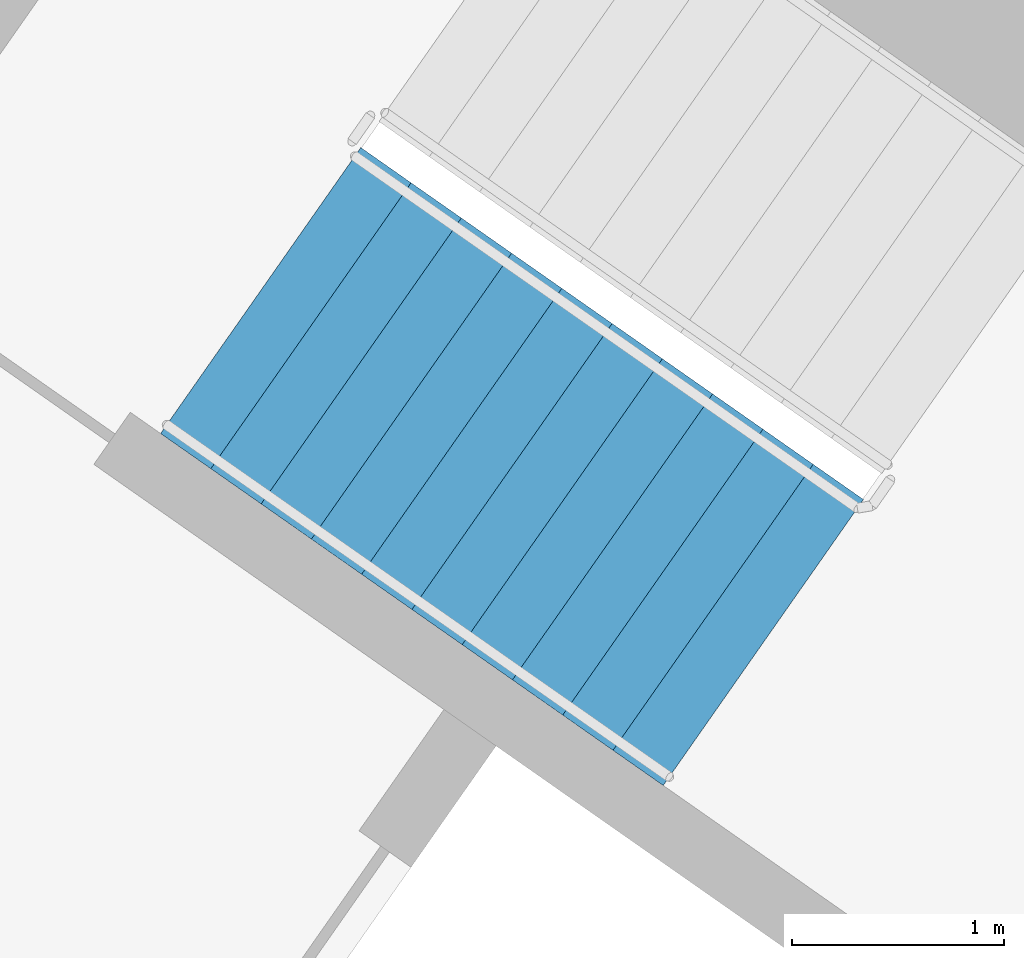
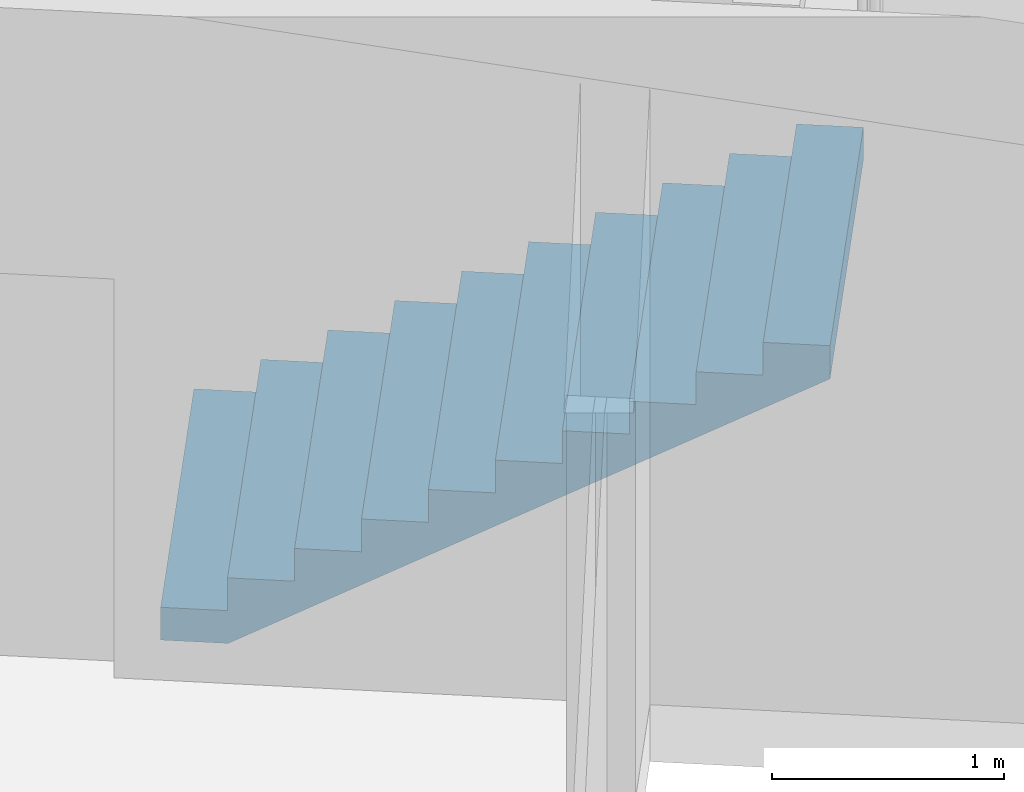
# One storey, part 14 of 32: 1 stair flight, 1 element without a shape of its own.
"""IFC4 building model written with IfcOpenShell, lengths in metres."""

from ifc_helpers import new_model, si_unit, direction, frame, origin, place, context, subcontext, project, spatial, faceted_brep, material, type_object, element, aggregate, save


model = new_model("IFC4")

# Units and contexts
model_context = context("Model", 3, precision=1e-05, world=origin(), true_north=direction((0.0, 1.0)))
body_context = subcontext(model_context, "Body", "Model", "MODEL_VIEW")
ifc_project = project(units=[si_unit("LENGTHUNIT", "METRE"), si_unit("AREAUNIT", "SQUARE_METRE"), si_unit("VOLUMEUNIT", "CUBIC_METRE"), si_unit("PLANEANGLEUNIT", "RADIAN"), si_unit("MASSUNIT", "GRAM", prefix="KILO")], contexts=[model_context])

# Site, building, storey
site_placement = place(None, origin())
site = spatial("IfcSite", under=ifc_project, at=site_placement, CompositionType="ELEMENT")
building_placement = place(site_placement, origin())
building = spatial("IfcBuilding", under=site, at=building_placement, Name="Qamariyya Broadcast Tower", CompositionType="ELEMENT")
storey_placement = place(building_placement, frame((0.0, 0.0, 70.89990234375)))
storey = spatial("IfcBuildingStorey", under=building, at=storey_placement, Name="L14", CompositionType="ELEMENT", Elevation=70.89990234375)

# Stair, stair flight
ifc_material = material(Name="Concrete C50/60", Category="concrete")
stair_type = type_object("IfcStairType", Name="Exit stair 22 risers of 173 mm", PredefinedType="HALF_TURN_STAIR", material=ifc_material)
stair_placement = place(storey_placement, origin())
stair = element("IfcStair", 1, at=stair_placement, inside=storey, type_object=stair_type, Name="L14 Stair W2", PredefinedType="HALF_TURN_STAIR")
stair_flight_type = type_object("IfcStairFlightType", Name="Exit stair flight 11 risers of 173 mm", PredefinedType="STRAIGHT", material=ifc_material)
stair_flight_placement = place(storey_placement, frame((-41.59130859375, -49.15966796875, 0.0), z_axis=(0.0, 0.0, 1.0), x_axis=(0.819152044289, -0.573576436351, 0.0)))
stair_flight = element("IfcStairFlight", 2, at=stair_flight_placement, type_object=stair_flight_type, Name="ST-W2 flight 1", NumberOfRisers=11, NumberOfTreads=10, PredefinedType="STRAIGHT", RiserHeight=0.172727273, TreadLength=0.29, context=body_context, shape_type="Brep", body=[
    faceted_brep([(0.0, 0.824951171875, 0.0), (0.0, 0.824951171875, 0.172607421875), (0.2900390625, 0.824951171875, 0.172607421875), (0.2900390625, 0.824951171875, 0.345458984375), (0.580078125, 0.824951171875, 0.345458984375), (0.580078125, 0.824951171875, 0.51806640625), (0.8701171875, 0.824951171875, 0.51806640625), (0.8701171875, 0.824951171875, 0.69091796875), (1.159912109375, 0.824951171875, 0.69091796875), (1.159912109375, 0.824951171875, 0.863525390625), (1.449951171875, 0.824951171875, 0.863525390625), (1.449951171875, 0.824951171875, 1.036376953125), (1.739990234375, 0.824951171875, 1.036376953125), (1.739990234375, 0.824951171875, 1.208984375), (2.030029296875, 0.824951171875, 1.208984375), (2.030029296875, 0.824951171875, 1.3818359375), (2.320068359375, 0.824951171875, 1.3818359375), (2.320068359375, 0.824951171875, 1.554443359375), (2.610107421875, 0.824951171875, 1.554443359375), (2.610107421875, 0.824951171875, 1.727294921875), (2.89990234375, 0.824951171875, 1.727294921875), (2.89990234375, 0.824951171875, 1.552734375), (0.29296875, 0.824951171875, 0.0), (0.29296875, -0.824951171875, 0.0), (2.89990234375, -0.824951171875, 1.552734375), (2.89990234375, -0.824951171875, 1.727294921875), (2.610107421875, -0.824951171875, 1.727294921875), (2.610107421875, -0.824951171875, 1.554443359375), (2.320068359375, -0.824951171875, 1.554443359375), (2.320068359375, -0.824951171875, 1.3818359375), (2.030029296875, -0.824951171875, 1.3818359375), (2.030029296875, -0.824951171875, 1.208984375), (1.739990234375, -0.824951171875, 1.208984375), (1.739990234375, -0.824951171875, 1.036376953125), (1.449951171875, -0.824951171875, 1.036376953125), (1.449951171875, -0.824951171875, 0.863525390625), (1.159912109375, -0.824951171875, 0.863525390625), (1.159912109375, -0.824951171875, 0.69091796875), (0.8701171875, -0.824951171875, 0.69091796875), (0.8701171875, -0.824951171875, 0.51806640625), (0.580078125, -0.824951171875, 0.51806640625), (0.580078125, -0.824951171875, 0.345458984375), (0.2900390625, -0.824951171875, 0.345458984375), (0.2900390625, -0.824951171875, 0.172607421875), (0.0, -0.824951171875, 0.172607421875), (0.0, -0.824951171875, 0.0), (0.0, 0.10009765625, 0.0), (0.0, 0.086669921875, 0.0), (0.0, 0.0732421875, 0.0), (0.0, 0.06005859375, 0.0), (0.0, 0.046630859375, 0.0), (0.0, 0.033447265625, 0.0), (0.0, 0.02001953125, 0.0), (0.0, 0.006591796875, 0.0), (0.0, -0.006591796875, 0.0), (0.0, -0.02001953125, 0.0), (0.0, -0.033447265625, 0.0), (0.0, -0.046630859375, 0.0), (0.0, -0.06005859375, 0.0), (0.0, -0.0732421875, 0.0), (0.0, -0.086669921875, 0.0), (0.0, -0.10009765625, 0.0), (0.0, -0.10009765625, 0.172607421875), (0.0, -0.086669921875, 0.172607421875), (0.0, -0.0732421875, 0.172607421875), (0.0, -0.06005859375, 0.172607421875), (0.0, -0.046630859375, 0.172607421875), (0.0, -0.033447265625, 0.172607421875), (0.0, -0.02001953125, 0.172607421875), (0.0, -0.006591796875, 0.172607421875), (0.0, 0.006591796875, 0.172607421875), (0.0, 0.02001953125, 0.172607421875), (0.0, 0.033447265625, 0.172607421875), (0.0, 0.046630859375, 0.172607421875), (0.0, 0.06005859375, 0.172607421875), (0.0, 0.0732421875, 0.172607421875), (0.0, 0.086669921875, 0.172607421875), (0.0, 0.10009765625, 0.172607421875), (0.2900390625, -0.10009765625, 0.172607421875), (0.2900390625, -0.086669921875, 0.172607421875), (0.2900390625, -0.0732421875, 0.172607421875), (0.2900390625, -0.06005859375, 0.172607421875), (0.2900390625, -0.046630859375, 0.172607421875), (0.2900390625, -0.033447265625, 0.172607421875), (0.2900390625, -0.02001953125, 0.172607421875), (0.2900390625, -0.006591796875, 0.172607421875), (0.2900390625, 0.006591796875, 0.172607421875), (0.2900390625, 0.02001953125, 0.172607421875), (0.2900390625, 0.033447265625, 0.172607421875), (0.2900390625, 0.046630859375, 0.172607421875), (0.2900390625, 0.06005859375, 0.172607421875), (0.2900390625, 0.0732421875, 0.172607421875), (0.2900390625, 0.086669921875, 0.172607421875), (0.2900390625, 0.10009765625, 0.172607421875), (0.2900390625, -0.10009765625, 0.345458984375), (0.2900390625, -0.086669921875, 0.345458984375), (0.2900390625, -0.0732421875, 0.345458984375), (0.2900390625, -0.06005859375, 0.345458984375), (0.2900390625, -0.046630859375, 0.345458984375), (0.2900390625, -0.033447265625, 0.345458984375), (0.2900390625, -0.02001953125, 0.345458984375), (0.2900390625, -0.006591796875, 0.345458984375), (0.2900390625, 0.006591796875, 0.345458984375), (0.2900390625, 0.02001953125, 0.345458984375), (0.2900390625, 0.033447265625, 0.345458984375), (0.2900390625, 0.046630859375, 0.345458984375), (0.2900390625, 0.06005859375, 0.345458984375), (0.2900390625, 0.0732421875, 0.345458984375), (0.2900390625, 0.086669921875, 0.345458984375), (0.2900390625, 0.10009765625, 0.345458984375), (0.580078125, -0.10009765625, 0.345458984375), (0.580078125, -0.086669921875, 0.345458984375), (0.580078125, -0.0732421875, 0.345458984375), (0.580078125, -0.06005859375, 0.345458984375), (0.580078125, -0.046630859375, 0.345458984375), (0.580078125, -0.033447265625, 0.345458984375), (0.580078125, -0.02001953125, 0.345458984375), (0.580078125, -0.006591796875, 0.345458984375), (0.580078125, 0.006591796875, 0.345458984375), (0.580078125, 0.02001953125, 0.345458984375), (0.580078125, 0.033447265625, 0.345458984375), (0.580078125, 0.046630859375, 0.345458984375), (0.580078125, 0.06005859375, 0.345458984375), (0.580078125, 0.0732421875, 0.345458984375), (0.580078125, 0.086669921875, 0.345458984375), (0.580078125, 0.10009765625, 0.345458984375), (0.580078125, -0.10009765625, 0.51806640625), (0.580078125, -0.086669921875, 0.51806640625), (0.580078125, -0.0732421875, 0.51806640625), (0.580078125, -0.06005859375, 0.51806640625), (0.580078125, -0.046630859375, 0.51806640625), (0.580078125, -0.033447265625, 0.51806640625), (0.580078125, -0.02001953125, 0.51806640625), (0.580078125, -0.006591796875, 0.51806640625), (0.580078125, 0.006591796875, 0.51806640625), (0.580078125, 0.02001953125, 0.51806640625), (0.580078125, 0.033447265625, 0.51806640625), (0.580078125, 0.046630859375, 0.51806640625), (0.580078125, 0.06005859375, 0.51806640625), (0.580078125, 0.0732421875, 0.51806640625), (0.580078125, 0.086669921875, 0.51806640625), (0.580078125, 0.10009765625, 0.51806640625), (0.8701171875, -0.10009765625, 0.51806640625), (0.8701171875, -0.086669921875, 0.51806640625), (0.8701171875, -0.0732421875, 0.51806640625), (0.8701171875, -0.06005859375, 0.51806640625), (0.8701171875, -0.046630859375, 0.51806640625), (0.8701171875, -0.033447265625, 0.51806640625), (0.8701171875, -0.02001953125, 0.51806640625), (0.8701171875, -0.006591796875, 0.51806640625), (0.8701171875, 0.006591796875, 0.51806640625), (0.8701171875, 0.02001953125, 0.51806640625), (0.8701171875, 0.033447265625, 0.51806640625), (0.8701171875, 0.046630859375, 0.51806640625), (0.8701171875, 0.06005859375, 0.51806640625), (0.8701171875, 0.0732421875, 0.51806640625), (0.8701171875, 0.086669921875, 0.51806640625), (0.8701171875, 0.10009765625, 0.51806640625), (0.8701171875, -0.10009765625, 0.69091796875), (0.8701171875, -0.086669921875, 0.69091796875), (0.8701171875, -0.0732421875, 0.69091796875), (0.8701171875, -0.06005859375, 0.69091796875), (0.8701171875, -0.046630859375, 0.69091796875), (0.8701171875, -0.033447265625, 0.69091796875), (0.8701171875, -0.02001953125, 0.69091796875), (0.8701171875, -0.006591796875, 0.69091796875), (0.8701171875, 0.006591796875, 0.69091796875), (0.8701171875, 0.02001953125, 0.69091796875), (0.8701171875, 0.033447265625, 0.69091796875), (0.8701171875, 0.046630859375, 0.69091796875), (0.8701171875, 0.06005859375, 0.69091796875), (0.8701171875, 0.0732421875, 0.69091796875), (0.8701171875, 0.086669921875, 0.69091796875), (0.8701171875, 0.10009765625, 0.69091796875), (1.159912109375, -0.10009765625, 0.69091796875), (1.159912109375, -0.086669921875, 0.69091796875), (1.159912109375, -0.0732421875, 0.69091796875), (1.159912109375, -0.06005859375, 0.69091796875), (1.159912109375, -0.046630859375, 0.69091796875), (1.159912109375, -0.033447265625, 0.69091796875), (1.159912109375, -0.02001953125, 0.69091796875), (1.159912109375, -0.006591796875, 0.69091796875), (1.159912109375, 0.006591796875, 0.69091796875), (1.159912109375, 0.02001953125, 0.69091796875), (1.159912109375, 0.033447265625, 0.69091796875), (1.159912109375, 0.046630859375, 0.69091796875), (1.159912109375, 0.06005859375, 0.69091796875), (1.159912109375, 0.0732421875, 0.69091796875), (1.159912109375, 0.086669921875, 0.69091796875), (1.159912109375, 0.10009765625, 0.69091796875), (1.159912109375, -0.10009765625, 0.863525390625), (1.159912109375, -0.086669921875, 0.863525390625), (1.159912109375, -0.0732421875, 0.863525390625), (1.159912109375, -0.06005859375, 0.863525390625), (1.159912109375, -0.046630859375, 0.863525390625), (1.159912109375, -0.033447265625, 0.863525390625), (1.159912109375, -0.02001953125, 0.863525390625), (1.159912109375, -0.006591796875, 0.863525390625), (1.159912109375, 0.006591796875, 0.863525390625), (1.159912109375, 0.02001953125, 0.863525390625), (1.159912109375, 0.033447265625, 0.863525390625), (1.159912109375, 0.046630859375, 0.863525390625), (1.159912109375, 0.06005859375, 0.863525390625), (1.159912109375, 0.0732421875, 0.863525390625), (1.159912109375, 0.086669921875, 0.863525390625), (1.159912109375, 0.10009765625, 0.863525390625), (1.449951171875, -0.10009765625, 0.863525390625), (1.449951171875, -0.086669921875, 0.863525390625), (1.449951171875, -0.0732421875, 0.863525390625), (1.449951171875, -0.06005859375, 0.863525390625), (1.449951171875, -0.046630859375, 0.863525390625), (1.449951171875, -0.033447265625, 0.863525390625), (1.449951171875, -0.02001953125, 0.863525390625), (1.449951171875, -0.006591796875, 0.863525390625), (1.449951171875, 0.006591796875, 0.863525390625), (1.449951171875, 0.02001953125, 0.863525390625), (1.449951171875, 0.033447265625, 0.863525390625), (1.449951171875, 0.046630859375, 0.863525390625), (1.449951171875, 0.06005859375, 0.863525390625), (1.449951171875, 0.0732421875, 0.863525390625), (1.449951171875, 0.086669921875, 0.863525390625), (1.449951171875, 0.10009765625, 0.863525390625), (1.449951171875, -0.10009765625, 1.036376953125), (1.449951171875, -0.086669921875, 1.036376953125), (1.449951171875, -0.0732421875, 1.036376953125), (1.449951171875, -0.06005859375, 1.036376953125), (1.449951171875, -0.046630859375, 1.036376953125), (1.449951171875, -0.033447265625, 1.036376953125), (1.449951171875, -0.02001953125, 1.036376953125), (1.449951171875, -0.006591796875, 1.036376953125), (1.449951171875, 0.006591796875, 1.036376953125), (1.449951171875, 0.02001953125, 1.036376953125), (1.449951171875, 0.033447265625, 1.036376953125), (1.449951171875, 0.046630859375, 1.036376953125), (1.449951171875, 0.06005859375, 1.036376953125), (1.449951171875, 0.0732421875, 1.036376953125), (1.449951171875, 0.086669921875, 1.036376953125), (1.449951171875, 0.10009765625, 1.036376953125), (1.739990234375, -0.10009765625, 1.036376953125), (1.739990234375, -0.086669921875, 1.036376953125), (1.739990234375, -0.0732421875, 1.036376953125), (1.739990234375, -0.06005859375, 1.036376953125), (1.739990234375, -0.046630859375, 1.036376953125), (1.739990234375, -0.033447265625, 1.036376953125), (1.739990234375, -0.02001953125, 1.036376953125), (1.739990234375, -0.006591796875, 1.036376953125), (1.739990234375, 0.006591796875, 1.036376953125), (1.739990234375, 0.02001953125, 1.036376953125), (1.739990234375, 0.033447265625, 1.036376953125), (1.739990234375, 0.046630859375, 1.036376953125), (1.739990234375, 0.06005859375, 1.036376953125), (1.739990234375, 0.0732421875, 1.036376953125), (1.739990234375, 0.086669921875, 1.036376953125), (1.739990234375, 0.10009765625, 1.036376953125), (1.739990234375, -0.10009765625, 1.208984375), (1.739990234375, -0.086669921875, 1.208984375), (1.739990234375, -0.0732421875, 1.208984375), (1.739990234375, -0.06005859375, 1.208984375), (1.739990234375, -0.046630859375, 1.208984375), (1.739990234375, -0.033447265625, 1.208984375), (1.739990234375, -0.02001953125, 1.208984375), (1.739990234375, -0.006591796875, 1.208984375), (1.739990234375, 0.006591796875, 1.208984375), (1.739990234375, 0.02001953125, 1.208984375), (1.739990234375, 0.033447265625, 1.208984375), (1.739990234375, 0.046630859375, 1.208984375), (1.739990234375, 0.06005859375, 1.208984375), (1.739990234375, 0.0732421875, 1.208984375), (1.739990234375, 0.086669921875, 1.208984375), (1.739990234375, 0.10009765625, 1.208984375), (2.030029296875, -0.10009765625, 1.208984375), (2.030029296875, -0.086669921875, 1.208984375), (2.030029296875, -0.0732421875, 1.208984375), (2.030029296875, -0.06005859375, 1.208984375), (2.030029296875, -0.046630859375, 1.208984375), (2.030029296875, -0.033447265625, 1.208984375), (2.030029296875, -0.02001953125, 1.208984375), (2.030029296875, -0.006591796875, 1.208984375), (2.030029296875, 0.006591796875, 1.208984375), (2.030029296875, 0.02001953125, 1.208984375), (2.030029296875, 0.033447265625, 1.208984375), (2.030029296875, 0.046630859375, 1.208984375), (2.030029296875, 0.06005859375, 1.208984375), (2.030029296875, 0.0732421875, 1.208984375), (2.030029296875, 0.086669921875, 1.208984375), (2.030029296875, 0.10009765625, 1.208984375), (2.030029296875, -0.10009765625, 1.3818359375), (2.030029296875, -0.086669921875, 1.3818359375), (2.030029296875, -0.0732421875, 1.3818359375), (2.030029296875, -0.06005859375, 1.3818359375), (2.030029296875, -0.046630859375, 1.3818359375), (2.030029296875, -0.033447265625, 1.3818359375), (2.030029296875, -0.02001953125, 1.3818359375), (2.030029296875, -0.006591796875, 1.3818359375), (2.030029296875, 0.006591796875, 1.3818359375), (2.030029296875, 0.02001953125, 1.3818359375), (2.030029296875, 0.033447265625, 1.3818359375), (2.030029296875, 0.046630859375, 1.3818359375), (2.030029296875, 0.06005859375, 1.3818359375), (2.030029296875, 0.0732421875, 1.3818359375), (2.030029296875, 0.086669921875, 1.3818359375), (2.030029296875, 0.10009765625, 1.3818359375), (2.320068359375, -0.10009765625, 1.3818359375), (2.320068359375, -0.086669921875, 1.3818359375), (2.320068359375, -0.0732421875, 1.3818359375), (2.320068359375, -0.06005859375, 1.3818359375), (2.320068359375, -0.046630859375, 1.3818359375), (2.320068359375, -0.033447265625, 1.3818359375), (2.320068359375, -0.02001953125, 1.3818359375), (2.320068359375, -0.006591796875, 1.3818359375), (2.320068359375, 0.006591796875, 1.3818359375), (2.320068359375, 0.02001953125, 1.3818359375), (2.320068359375, 0.033447265625, 1.3818359375), (2.320068359375, 0.046630859375, 1.3818359375), (2.320068359375, 0.06005859375, 1.3818359375), (2.320068359375, 0.0732421875, 1.3818359375), (2.320068359375, 0.086669921875, 1.3818359375), (2.320068359375, 0.10009765625, 1.3818359375), (2.320068359375, -0.10009765625, 1.554443359375), (2.320068359375, -0.086669921875, 1.554443359375), (2.320068359375, -0.0732421875, 1.554443359375), (2.320068359375, -0.06005859375, 1.554443359375), (2.320068359375, -0.046630859375, 1.554443359375), (2.320068359375, -0.033447265625, 1.554443359375), (2.320068359375, -0.02001953125, 1.554443359375), (2.320068359375, -0.006591796875, 1.554443359375), (2.320068359375, 0.006591796875, 1.554443359375), (2.320068359375, 0.02001953125, 1.554443359375), (2.320068359375, 0.033447265625, 1.554443359375), (2.320068359375, 0.046630859375, 1.554443359375), (2.320068359375, 0.06005859375, 1.554443359375), (2.320068359375, 0.0732421875, 1.554443359375), (2.320068359375, 0.086669921875, 1.554443359375), (2.320068359375, 0.10009765625, 1.554443359375), (2.610107421875, -0.10009765625, 1.554443359375), (2.610107421875, -0.086669921875, 1.554443359375), (2.610107421875, -0.0732421875, 1.554443359375), (2.610107421875, -0.06005859375, 1.554443359375), (2.610107421875, -0.046630859375, 1.554443359375), (2.610107421875, -0.033447265625, 1.554443359375), (2.610107421875, -0.02001953125, 1.554443359375), (2.610107421875, -0.006591796875, 1.554443359375), (2.610107421875, 0.006591796875, 1.554443359375), (2.610107421875, 0.02001953125, 1.554443359375), (2.610107421875, 0.033447265625, 1.554443359375), (2.610107421875, 0.046630859375, 1.554443359375), (2.610107421875, 0.06005859375, 1.554443359375), (2.610107421875, 0.0732421875, 1.554443359375), (2.610107421875, 0.086669921875, 1.554443359375), (2.610107421875, 0.10009765625, 1.554443359375), (2.610107421875, -0.10009765625, 1.727294921875), (2.610107421875, -0.086669921875, 1.727294921875), (2.610107421875, -0.0732421875, 1.727294921875), (2.610107421875, -0.06005859375, 1.727294921875), (2.610107421875, -0.046630859375, 1.727294921875), (2.610107421875, -0.033447265625, 1.727294921875), (2.610107421875, -0.02001953125, 1.727294921875), (2.610107421875, -0.006591796875, 1.727294921875), (2.610107421875, 0.006591796875, 1.727294921875), (2.610107421875, 0.02001953125, 1.727294921875), (2.610107421875, 0.033447265625, 1.727294921875), (2.610107421875, 0.046630859375, 1.727294921875), (2.610107421875, 0.06005859375, 1.727294921875), (2.610107421875, 0.0732421875, 1.727294921875), (2.610107421875, 0.086669921875, 1.727294921875), (2.610107421875, 0.10009765625, 1.727294921875), (2.89990234375, -0.10009765625, 1.727294921875), (2.89990234375, -0.086669921875, 1.727294921875), (2.89990234375, -0.0732421875, 1.727294921875), (2.89990234375, -0.06005859375, 1.727294921875), (2.89990234375, -0.046630859375, 1.727294921875), (2.89990234375, -0.033447265625, 1.727294921875), (2.89990234375, -0.02001953125, 1.727294921875), (2.89990234375, -0.006591796875, 1.727294921875), (2.89990234375, 0.006591796875, 1.727294921875), (2.89990234375, 0.02001953125, 1.727294921875), (2.89990234375, 0.033447265625, 1.727294921875), (2.89990234375, 0.046630859375, 1.727294921875), (2.89990234375, 0.06005859375, 1.727294921875), (2.89990234375, 0.0732421875, 1.727294921875), (2.89990234375, 0.086669921875, 1.727294921875), (2.89990234375, 0.10009765625, 1.727294921875), (2.89990234375, -0.10009765625, 1.552734375), (2.89990234375, -0.086669921875, 1.552734375), (2.89990234375, -0.0732421875, 1.552734375), (2.89990234375, -0.06005859375, 1.552734375), (2.89990234375, -0.046630859375, 1.552734375), (2.89990234375, -0.033447265625, 1.552734375), (2.89990234375, -0.02001953125, 1.552734375), (2.89990234375, -0.006591796875, 1.552734375), (2.89990234375, 0.006591796875, 1.552734375), (2.89990234375, 0.02001953125, 1.552734375), (2.89990234375, 0.033447265625, 1.552734375), (2.89990234375, 0.046630859375, 1.552734375), (2.89990234375, 0.06005859375, 1.552734375), (2.89990234375, 0.0732421875, 1.552734375), (2.89990234375, 0.086669921875, 1.552734375), (2.89990234375, 0.10009765625, 1.552734375), (0.29296875, -0.10009765625, 0.0), (0.29296875, -0.086669921875, 0.0), (0.29296875, -0.0732421875, 0.0), (0.29296875, -0.06005859375, 0.0), (0.29296875, -0.046630859375, 0.0), (0.29296875, -0.033447265625, 0.0), (0.29296875, -0.02001953125, 0.0), (0.29296875, -0.006591796875, 0.0), (0.29296875, 0.006591796875, 0.0), (0.29296875, 0.02001953125, 0.0), (0.29296875, 0.033447265625, 0.0), (0.29296875, 0.046630859375, 0.0), (0.29296875, 0.06005859375, 0.0), (0.29296875, 0.0732421875, 0.0), (0.29296875, 0.086669921875, 0.0), (0.29296875, 0.10009765625, 0.0)], [[[0, 1, 2, 3, 4, 5, 6, 7, 8, 9, 10, 11, 12, 13, 14, 15, 16, 17, 18, 19, 20, 21, 22]], [[23, 24, 25, 26, 27, 28, 29, 30, 31, 32, 33, 34, 35, 36, 37, 38, 39, 40, 41, 42, 43, 44, 45]], [[0, 46, 47, 48, 49, 50, 51, 52, 53, 54, 55, 56, 57, 58, 59, 60, 61, 45, 44, 62, 63, 64, 65, 66, 67, 68, 69, 70, 71, 72, 73, 74, 75, 76, 77, 1]], [[1, 77, 76, 75, 74, 73, 72, 71, 70, 69, 68, 67, 66, 65, 64, 63, 62, 44, 43, 78, 79, 80, 81, 82, 83, 84, 85, 86, 87, 88, 89, 90, 91, 92, 93, 2]], [[2, 93, 92, 91, 90, 89, 88, 87, 86, 85, 84, 83, 82, 81, 80, 79, 78, 43, 42, 94, 95, 96, 97, 98, 99, 100, 101, 102, 103, 104, 105, 106, 107, 108, 109, 3]], [[3, 109, 108, 107, 106, 105, 104, 103, 102, 101, 100, 99, 98, 97, 96, 95, 94, 42, 41, 110, 111, 112, 113, 114, 115, 116, 117, 118, 119, 120, 121, 122, 123, 124, 125, 4]], [[4, 125, 124, 123, 122, 121, 120, 119, 118, 117, 116, 115, 114, 113, 112, 111, 110, 41, 40, 126, 127, 128, 129, 130, 131, 132, 133, 134, 135, 136, 137, 138, 139, 140, 141, 5]], [[5, 141, 140, 139, 138, 137, 136, 135, 134, 133, 132, 131, 130, 129, 128, 127, 126, 40, 39, 142, 143, 144, 145, 146, 147, 148, 149, 150, 151, 152, 153, 154, 155, 156, 157, 6]], [[6, 157, 156, 155, 154, 153, 152, 151, 150, 149, 148, 147, 146, 145, 144, 143, 142, 39, 38, 158, 159, 160, 161, 162, 163, 164, 165, 166, 167, 168, 169, 170, 171, 172, 173, 7]], [[7, 173, 172, 171, 170, 169, 168, 167, 166, 165, 164, 163, 162, 161, 160, 159, 158, 38, 37, 174, 175, 176, 177, 178, 179, 180, 181, 182, 183, 184, 185, 186, 187, 188, 189, 8]], [[8, 189, 188, 187, 186, 185, 184, 183, 182, 181, 180, 179, 178, 177, 176, 175, 174, 37, 36, 190, 191, 192, 193, 194, 195, 196, 197, 198, 199, 200, 201, 202, 203, 204, 205, 9]], [[9, 205, 204, 203, 202, 201, 200, 199, 198, 197, 196, 195, 194, 193, 192, 191, 190, 36, 35, 206, 207, 208, 209, 210, 211, 212, 213, 214, 215, 216, 217, 218, 219, 220, 221, 10]], [[10, 221, 220, 219, 218, 217, 216, 215, 214, 213, 212, 211, 210, 209, 208, 207, 206, 35, 34, 222, 223, 224, 225, 226, 227, 228, 229, 230, 231, 232, 233, 234, 235, 236, 237, 11]], [[11, 237, 236, 235, 234, 233, 232, 231, 230, 229, 228, 227, 226, 225, 224, 223, 222, 34, 33, 238, 239, 240, 241, 242, 243, 244, 245, 246, 247, 248, 249, 250, 251, 252, 253, 12]], [[12, 253, 252, 251, 250, 249, 248, 247, 246, 245, 244, 243, 242, 241, 240, 239, 238, 33, 32, 254, 255, 256, 257, 258, 259, 260, 261, 262, 263, 264, 265, 266, 267, 268, 269, 13]], [[13, 269, 268, 267, 266, 265, 264, 263, 262, 261, 260, 259, 258, 257, 256, 255, 254, 32, 31, 270, 271, 272, 273, 274, 275, 276, 277, 278, 279, 280, 281, 282, 283, 284, 285, 14]], [[14, 285, 284, 283, 282, 281, 280, 279, 278, 277, 276, 275, 274, 273, 272, 271, 270, 31, 30, 286, 287, 288, 289, 290, 291, 292, 293, 294, 295, 296, 297, 298, 299, 300, 301, 15]], [[15, 301, 300, 299, 298, 297, 296, 295, 294, 293, 292, 291, 290, 289, 288, 287, 286, 30, 29, 302, 303, 304, 305, 306, 307, 308, 309, 310, 311, 312, 313, 314, 315, 316, 317, 16]], [[16, 317, 316, 315, 314, 313, 312, 311, 310, 309, 308, 307, 306, 305, 304, 303, 302, 29, 28, 318, 319, 320, 321, 322, 323, 324, 325, 326, 327, 328, 329, 330, 331, 332, 333, 17]], [[17, 333, 332, 331, 330, 329, 328, 327, 326, 325, 324, 323, 322, 321, 320, 319, 318, 28, 27, 334, 335, 336, 337, 338, 339, 340, 341, 342, 343, 344, 345, 346, 347, 348, 349, 18]], [[18, 349, 348, 347, 346, 345, 344, 343, 342, 341, 340, 339, 338, 337, 336, 335, 334, 27, 26, 350, 351, 352, 353, 354, 355, 356, 357, 358, 359, 360, 361, 362, 363, 364, 365, 19]], [[19, 365, 364, 363, 362, 361, 360, 359, 358, 357, 356, 355, 354, 353, 352, 351, 350, 26, 25, 366, 367, 368, 369, 370, 371, 372, 373, 374, 375, 376, 377, 378, 379, 380, 381, 20]], [[20, 381, 380, 379, 378, 377, 376, 375, 374, 373, 372, 371, 370, 369, 368, 367, 366, 25, 24, 382, 383, 384, 385, 386, 387, 388, 389, 390, 391, 392, 393, 394, 395, 396, 397, 21]], [[21, 397, 396, 395, 394, 393, 392, 391, 390, 389, 388, 387, 386, 385, 384, 383, 382, 24, 23, 398, 399, 400, 401, 402, 403, 404, 405, 406, 407, 408, 409, 410, 411, 412, 413, 22]], [[22, 413, 412, 411, 410, 409, 408, 407, 406, 405, 404, 403, 402, 401, 400, 399, 398, 23, 45, 61, 60, 59, 58, 57, 56, 55, 54, 53, 52, 51, 50, 49, 48, 47, 46, 0]]]),
])
aggregate(stair, [stair_flight])

save(model, "model.ifc")
